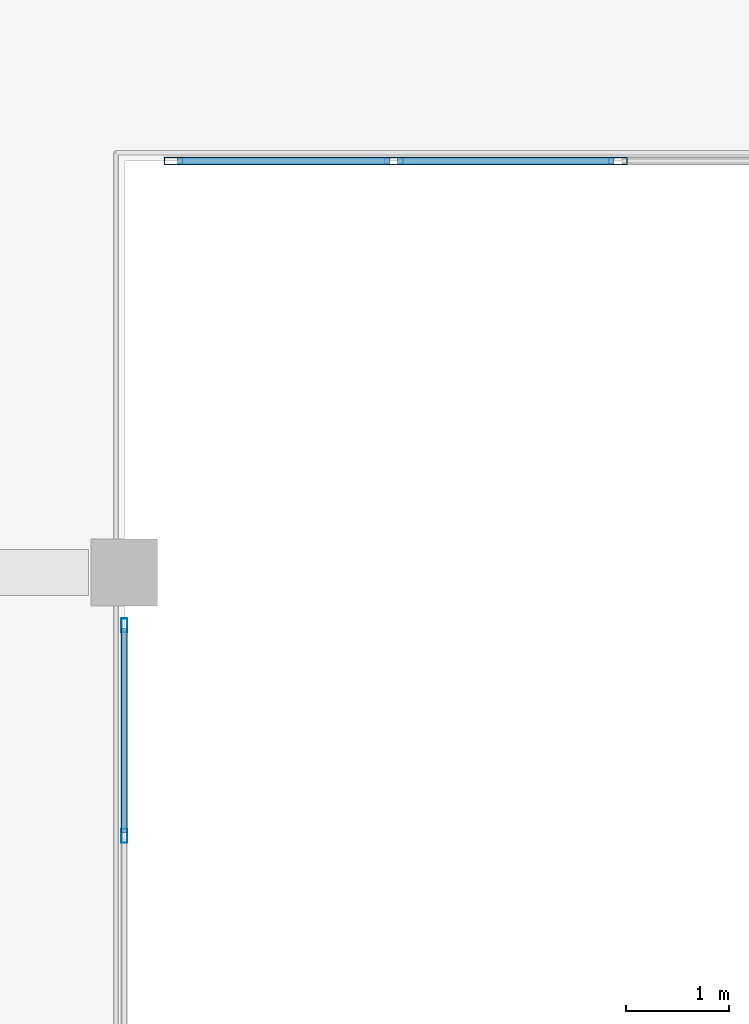
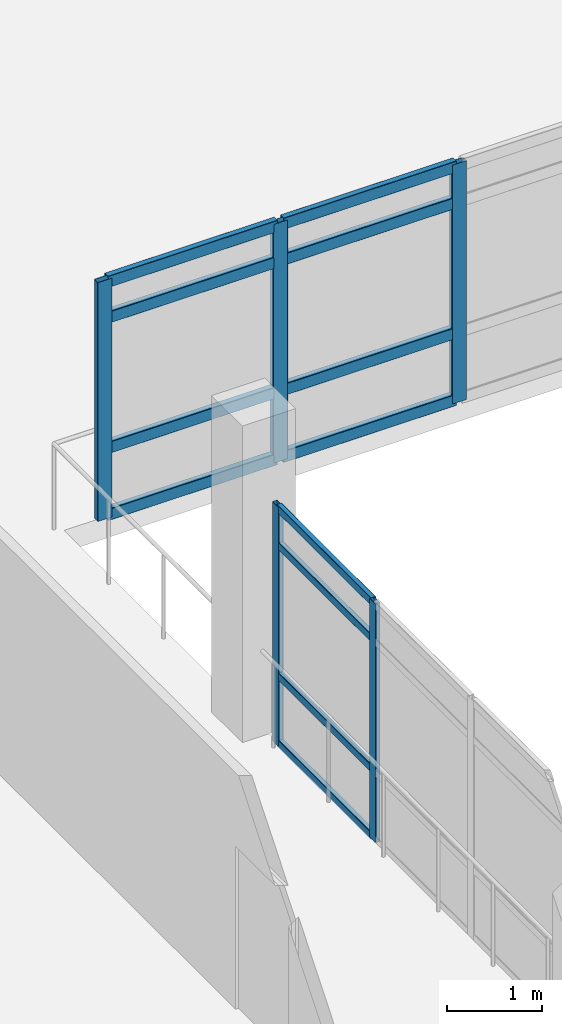
# One storey, part 24 of 72: 17 members, 2 elements without a shape of their own.
"""IFC4 building model written with IfcOpenShell, lengths in metres."""

from ifc_helpers import new_model, si_unit, direction, frame, origin, origin_2d, place, context, subcontext, project, spatial, hollow_rectangle, extrude, material, layer, layer_set, material_profile, profile_set, type_object, element, aggregate, save


model = new_model("IFC4")

# Units and contexts
model_context = context("Model", 3, precision=1e-05, world=origin(), true_north=direction((0.0, 1.0)))
body_context = subcontext(model_context, "Body", "Model", "MODEL_VIEW")
ifc_project = project(units=[si_unit("LENGTHUNIT", "METRE"), si_unit("AREAUNIT", "SQUARE_METRE"), si_unit("VOLUMEUNIT", "CUBIC_METRE"), si_unit("PLANEANGLEUNIT", "RADIAN"), si_unit("MASSUNIT", "GRAM", prefix="KILO")], contexts=[model_context])

# Site, building, storey
site_placement = place(None, origin())
site = spatial("IfcSite", under=ifc_project, at=site_placement, CompositionType="ELEMENT")
building_placement = place(site_placement, origin())
building = spatial("IfcBuilding", under=site, at=building_placement, Name="Asteropetra Specialist Clinic", CompositionType="ELEMENT")
storey_placement = place(building_placement, frame((0.0, 0.0, 12.580078125)))
storey = spatial("IfcBuildingStorey", under=building, at=storey_placement, Name="L03", CompositionType="ELEMENT", Elevation=12.580078125)

# Curtain wall, members
ifc_material_1 = material(Name="Aluminium and low-E glass", Category="aluminium")
ifc_layer_1 = layer(ifc_material_1, 0.14990234375)
ifc_layer_set_1 = layer_set([ifc_layer_1], Name="Aluminium and low-E glass")
curtain_wall_type_1 = type_object("IfcCurtainWallType", Name="CW-SYS-05", PredefinedType="USERDEFINED", material=ifc_layer_set_1)
curtain_wall_1_placement = place(storey_placement, origin())
curtain_wall_1 = element("IfcCurtainWall", 1, at=curtain_wall_1_placement, inside=storey, type_object=curtain_wall_type_1, Name="Curtain Wall CW-047", ObjectType="UNITISED CURTAIN WALL", PredefinedType="USERDEFINED")
ifc_material_2 = material(Name="Aluminium 6063-T6", Category="aluminium")
ifc_material_profile_1 = material_profile(ifc_material_2, hollow_rectangle(XDim=0.06005859375, YDim=0.135009765625, WallThickness=0.00341796875, InnerFilletRadius=0.00341796875, OuterFilletRadius=0.007080078125, at=origin_2d()), Name="MUL 135x60x3.5")
ifc_profile_set_1 = profile_set([ifc_material_profile_1], Name="Aluminium 6063-T6")
member_type_1 = type_object("IfcMemberType", Name="CWM-135x60", PredefinedType="MULLION", material=ifc_profile_set_1)
member_1_placement = place(storey_placement, frame((9.60009765625, 90.68505859375, 0.0), z_axis=(0.0, 0.0, 1.0), x_axis=(1.0, 0.0, 0.0)))
member_1 = element("IfcMember", 2, at=member_1_placement, type_object=member_type_1, Name="CW-047 mullion 1", PredefinedType="MULLION", context=body_context, shape_type="SweptSolid", body=[
    extrude(hollow_rectangle(XDim=0.06005859375, YDim=0.135009765625, WallThickness=0.00341796875, InnerFilletRadius=0.00341796875, OuterFilletRadius=0.007080078125, at=origin_2d()), origin(), (0.0, 0.0, 1.0), 3.079833984375),
])
member_2_placement = place(storey_placement, frame((9.60009765625, 88.638427734375, 0.0), z_axis=(0.0, 0.0, 1.0), x_axis=(1.0, 0.0, 0.0)))
member_2 = element("IfcMember", 3, at=member_2_placement, type_object=member_type_1, Name="CW-047 mullion 2", PredefinedType="MULLION", context=body_context, shape_type="SweptSolid", body=[
    extrude(hollow_rectangle(XDim=0.06005859375, YDim=0.135009765625, WallThickness=0.00341796875, InnerFilletRadius=0.00341796875, OuterFilletRadius=0.007080078125, at=origin_2d()), origin(), (0.0, 0.0, 1.0), 3.079833984375),
])

ifc_material_3 = material(Name="Aluminium and low-E glass", Category="aluminium")
ifc_layer_2 = layer(ifc_material_3, 0.135009765625)
ifc_layer_set_2 = layer_set([ifc_layer_2], Name="Aluminium and low-E glass")
curtain_wall_type_2 = type_object("IfcCurtainWallType", Name="CW-SYS-03", PredefinedType="USERDEFINED", material=ifc_layer_set_2)
curtain_wall_2_placement = place(storey_placement, origin())
curtain_wall_2 = element("IfcCurtainWall", 4, at=curtain_wall_2_placement, inside=storey, type_object=curtain_wall_type_2, Name="Curtain Wall CW-042", ObjectType="UNITISED CURTAIN WALL", PredefinedType="USERDEFINED")
ifc_material_4 = material(Name="Aluminium 6063-T6", Category="aluminium")
ifc_material_profile_2 = material_profile(ifc_material_4, hollow_rectangle(XDim=0.074951171875, YDim=0.179931640625, WallThickness=0.00390625, InnerFilletRadius=0.00390625, OuterFilletRadius=0.008056640625, at=origin_2d()), Name="MUL 180x75x4.0")
ifc_profile_set_2 = profile_set([ifc_material_profile_2], Name="Aluminium 6063-T6")
member_type_2 = type_object("IfcMemberType", Name="CWM-180x75", PredefinedType="MULLION", material=ifc_profile_set_2)
member_3_placement = place(storey_placement, frame((14.39990234375, 95.199951171875, 0.0), z_axis=(0.0, 0.0, 1.0), x_axis=(0.0, -1.0, 0.0)))
member_3 = element("IfcMember", 5, at=member_3_placement, type_object=member_type_2, Name="CW-042 mullion 3", PredefinedType="MULLION", context=body_context, shape_type="SweptSolid", body=[
    extrude(hollow_rectangle(XDim=0.074951171875, YDim=0.179931640625, WallThickness=0.00390625, InnerFilletRadius=0.00390625, OuterFilletRadius=0.008056640625, at=origin_2d()), origin(), (0.0, 0.0, 1.0), 3.079833984375),
])
member_4_placement = place(storey_placement, frame((12.219970703125, 95.199951171875, 0.0), z_axis=(0.0, 0.0, 1.0), x_axis=(0.0, -1.0, 0.0)))
member_4 = element("IfcMember", 6, at=member_4_placement, type_object=member_type_2, Name="CW-042 mullion 4", PredefinedType="MULLION", context=body_context, shape_type="SweptSolid", body=[
    extrude(hollow_rectangle(XDim=0.074951171875, YDim=0.179931640625, WallThickness=0.00390625, InnerFilletRadius=0.00390625, OuterFilletRadius=0.008056640625, at=origin_2d()), origin(), (0.0, 0.0, 1.0), 3.079833984375),
])
member_5_placement = place(storey_placement, frame((10.077392578125, 95.199951171875, 0.0), z_axis=(0.0, 0.0, 1.0), x_axis=(0.0, -1.0, 0.0)))
member_5 = element("IfcMember", 7, at=member_5_placement, type_object=member_type_2, Name="CW-042 mullion 5", PredefinedType="MULLION", context=body_context, shape_type="SweptSolid", body=[
    extrude(hollow_rectangle(XDim=0.074951171875, YDim=0.179931640625, WallThickness=0.00390625, InnerFilletRadius=0.00390625, OuterFilletRadius=0.008056640625, at=origin_2d()), origin(), (0.0, 0.0, 1.0), 3.079833984375),
])

# Member
ifc_material_5 = material(Name="Aluminium 6063-T6", Category="aluminium")
ifc_material_profile_3 = material_profile(ifc_material_5, hollow_rectangle(XDim=0.06005859375, YDim=0.10009765625, WallThickness=0.00341796875, InnerFilletRadius=0.00341796875, OuterFilletRadius=0.007080078125, at=origin_2d()), Name="TRN 100x60x3.5")
ifc_profile_set_3 = profile_set([ifc_material_profile_3], Name="Aluminium 6063-T6")
member_type_3 = type_object("IfcMemberType", Name="CWT-100x60", PredefinedType="USERDEFINED", material=ifc_profile_set_3)
member_6_placement = place(storey_placement, frame((9.60009765625, 90.655029296875, 0.030029296875), z_axis=(0.0, -1.0, 0.0), x_axis=(1.0, 0.0, 0.0)))
member_6 = element("IfcMember", 8, at=member_6_placement, type_object=member_type_3, Name="CW-047 transom 1.1", ObjectType="TRANSOM", PredefinedType="USERDEFINED", context=body_context, shape_type="SweptSolid", body=[
    extrude(hollow_rectangle(XDim=0.06005859375, YDim=0.10009765625, WallThickness=0.00341796875, InnerFilletRadius=0.00341796875, OuterFilletRadius=0.007080078125, at=origin_2d()), origin(), (0.0, 0.0, 1.0), 1.98681640625),
])

member_7_placement = place(storey_placement, frame((9.60009765625, 90.655029296875, 0.89990234375), z_axis=(0.0, -1.0, 0.0), x_axis=(1.0, 0.0, 0.0)))
member_7 = element("IfcMember", 9, at=member_7_placement, type_object=member_type_3, Name="CW-047 transom 1.2", ObjectType="TRANSOM", PredefinedType="USERDEFINED", context=body_context, shape_type="SweptSolid", body=[
    extrude(hollow_rectangle(XDim=0.06005859375, YDim=0.10009765625, WallThickness=0.00341796875, InnerFilletRadius=0.00341796875, OuterFilletRadius=0.007080078125, at=origin_2d()), origin(), (0.0, 0.0, 1.0), 1.98681640625),
])

member_8_placement = place(storey_placement, frame((9.60009765625, 90.655029296875, 2.579833984375), z_axis=(0.0, -1.0, 0.0), x_axis=(1.0, 0.0, 0.0)))
member_8 = element("IfcMember", 10, at=member_8_placement, type_object=member_type_3, Name="CW-047 transom 1.3", ObjectType="TRANSOM", PredefinedType="USERDEFINED", context=body_context, shape_type="SweptSolid", body=[
    extrude(hollow_rectangle(XDim=0.06005859375, YDim=0.10009765625, WallThickness=0.00341796875, InnerFilletRadius=0.00341796875, OuterFilletRadius=0.007080078125, at=origin_2d()), origin(), (0.0, 0.0, 1.0), 1.98681640625),
])

member_9_placement = place(storey_placement, frame((9.60009765625, 90.655029296875, 3.0498046875), z_axis=(0.0, -1.0, 0.0), x_axis=(1.0, 0.0, 0.0)))
member_9 = element("IfcMember", 11, at=member_9_placement, type_object=member_type_3, Name="CW-047 transom 1.4", ObjectType="TRANSOM", PredefinedType="USERDEFINED", context=body_context, shape_type="SweptSolid", body=[
    extrude(hollow_rectangle(XDim=0.06005859375, YDim=0.10009765625, WallThickness=0.00341796875, InnerFilletRadius=0.00341796875, OuterFilletRadius=0.007080078125, at=origin_2d()), origin(), (0.0, 0.0, 1.0), 1.98681640625),
])

aggregate(curtain_wall_1, [member_1, member_2, member_6, member_7, member_8, member_9])

ifc_material_6 = material(Name="Aluminium 6063-T6", Category="aluminium")
ifc_material_profile_4 = material_profile(ifc_material_6, hollow_rectangle(XDim=0.074951171875, YDim=0.14990234375, WallThickness=0.00390625, InnerFilletRadius=0.00390625, OuterFilletRadius=0.008056640625, at=origin_2d()), Name="TRN 150x75x4.0")
ifc_profile_set_4 = profile_set([ifc_material_profile_4], Name="Aluminium 6063-T6")
member_type_4 = type_object("IfcMemberType", Name="CWT-150x75", PredefinedType="USERDEFINED", material=ifc_profile_set_4)
member_10_placement = place(storey_placement, frame((14.362548828125, 95.199951171875, 0.037353515625), z_axis=(-1.0, 0.0, 0.0), x_axis=(0.0, -1.0, 0.0)))
member_10 = element("IfcMember", 12, at=member_10_placement, type_object=member_type_4, Name="CW-042 transom 3.1", ObjectType="TRANSOM", PredefinedType="USERDEFINED", context=body_context, shape_type="SweptSolid", body=[
    extrude(hollow_rectangle(XDim=0.074951171875, YDim=0.14990234375, WallThickness=0.00390625, InnerFilletRadius=0.00390625, OuterFilletRadius=0.008056640625, at=origin_2d()), origin(), (0.0, 0.0, 1.0), 2.10498046875),
])

member_11_placement = place(storey_placement, frame((14.362548828125, 95.199951171875, 0.89990234375), z_axis=(-1.0, 0.0, 0.0), x_axis=(0.0, -1.0, 0.0)))
member_11 = element("IfcMember", 13, at=member_11_placement, type_object=member_type_4, Name="CW-042 transom 3.2", ObjectType="TRANSOM", PredefinedType="USERDEFINED", context=body_context, shape_type="SweptSolid", body=[
    extrude(hollow_rectangle(XDim=0.074951171875, YDim=0.14990234375, WallThickness=0.00390625, InnerFilletRadius=0.00390625, OuterFilletRadius=0.008056640625, at=origin_2d()), origin(), (0.0, 0.0, 1.0), 2.10498046875),
])

member_12_placement = place(storey_placement, frame((14.362548828125, 95.199951171875, 2.579833984375), z_axis=(-1.0, 0.0, 0.0), x_axis=(0.0, -1.0, 0.0)))
member_12 = element("IfcMember", 14, at=member_12_placement, type_object=member_type_4, Name="CW-042 transom 3.3", ObjectType="TRANSOM", PredefinedType="USERDEFINED", context=body_context, shape_type="SweptSolid", body=[
    extrude(hollow_rectangle(XDim=0.074951171875, YDim=0.14990234375, WallThickness=0.00390625, InnerFilletRadius=0.00390625, OuterFilletRadius=0.008056640625, at=origin_2d()), origin(), (0.0, 0.0, 1.0), 2.10498046875),
])

member_13_placement = place(storey_placement, frame((14.362548828125, 95.199951171875, 3.04248046875), z_axis=(-1.0, 0.0, 0.0), x_axis=(0.0, -1.0, 0.0)))
member_13 = element("IfcMember", 15, at=member_13_placement, type_object=member_type_4, Name="CW-042 transom 3.4", ObjectType="TRANSOM", PredefinedType="USERDEFINED", context=body_context, shape_type="SweptSolid", body=[
    extrude(hollow_rectangle(XDim=0.074951171875, YDim=0.14990234375, WallThickness=0.00390625, InnerFilletRadius=0.00390625, OuterFilletRadius=0.008056640625, at=origin_2d()), origin(), (0.0, 0.0, 1.0), 2.10498046875),
])

member_14_placement = place(storey_placement, frame((12.1826171875, 95.199951171875, 0.037353515625), z_axis=(-1.0, 0.0, 0.0), x_axis=(0.0, -1.0, 0.0)))
member_14 = element("IfcMember", 16, at=member_14_placement, type_object=member_type_4, Name="CW-042 transom 4.1", ObjectType="TRANSOM", PredefinedType="USERDEFINED", context=body_context, shape_type="SweptSolid", body=[
    extrude(hollow_rectangle(XDim=0.074951171875, YDim=0.14990234375, WallThickness=0.00390625, InnerFilletRadius=0.00390625, OuterFilletRadius=0.008056640625, at=origin_2d()), origin(), (0.0, 0.0, 1.0), 2.067626953125),
])

member_15_placement = place(storey_placement, frame((12.1826171875, 95.199951171875, 0.89990234375), z_axis=(-1.0, 0.0, 0.0), x_axis=(0.0, -1.0, 0.0)))
member_15 = element("IfcMember", 17, at=member_15_placement, type_object=member_type_4, Name="CW-042 transom 4.2", ObjectType="TRANSOM", PredefinedType="USERDEFINED", context=body_context, shape_type="SweptSolid", body=[
    extrude(hollow_rectangle(XDim=0.074951171875, YDim=0.14990234375, WallThickness=0.00390625, InnerFilletRadius=0.00390625, OuterFilletRadius=0.008056640625, at=origin_2d()), origin(), (0.0, 0.0, 1.0), 2.067626953125),
])

member_16_placement = place(storey_placement, frame((12.1826171875, 95.199951171875, 2.579833984375), z_axis=(-1.0, 0.0, 0.0), x_axis=(0.0, -1.0, 0.0)))
member_16 = element("IfcMember", 18, at=member_16_placement, type_object=member_type_4, Name="CW-042 transom 4.3", ObjectType="TRANSOM", PredefinedType="USERDEFINED", context=body_context, shape_type="SweptSolid", body=[
    extrude(hollow_rectangle(XDim=0.074951171875, YDim=0.14990234375, WallThickness=0.00390625, InnerFilletRadius=0.00390625, OuterFilletRadius=0.008056640625, at=origin_2d()), origin(), (0.0, 0.0, 1.0), 2.067626953125),
])

member_17_placement = place(storey_placement, frame((12.1826171875, 95.199951171875, 3.04248046875), z_axis=(-1.0, 0.0, 0.0), x_axis=(0.0, -1.0, 0.0)))
member_17 = element("IfcMember", 19, at=member_17_placement, type_object=member_type_4, Name="CW-042 transom 4.4", ObjectType="TRANSOM", PredefinedType="USERDEFINED", context=body_context, shape_type="SweptSolid", body=[
    extrude(hollow_rectangle(XDim=0.074951171875, YDim=0.14990234375, WallThickness=0.00390625, InnerFilletRadius=0.00390625, OuterFilletRadius=0.008056640625, at=origin_2d()), origin(), (0.0, 0.0, 1.0), 2.067626953125),
])

aggregate(curtain_wall_2, [member_3, member_4, member_5, member_10, member_11, member_12, member_13, member_14, member_15, member_16, member_17])

save(model, "model.ifc")
